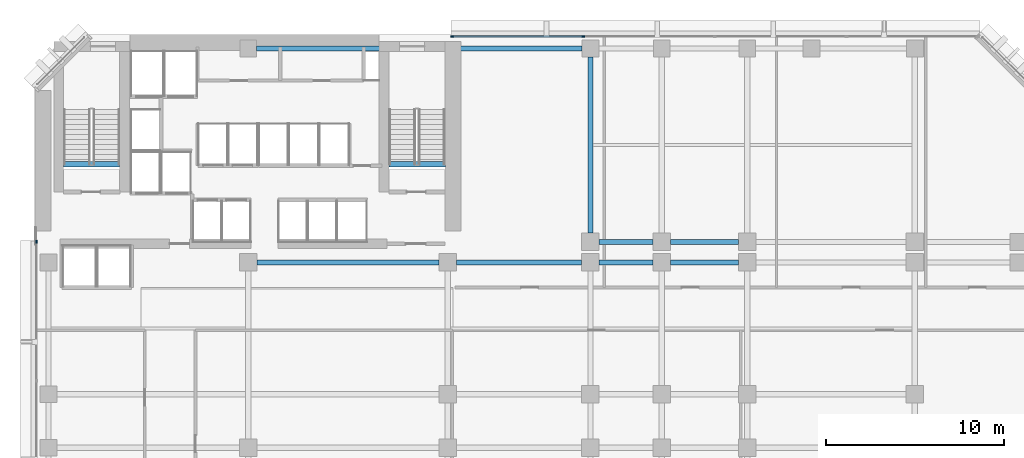
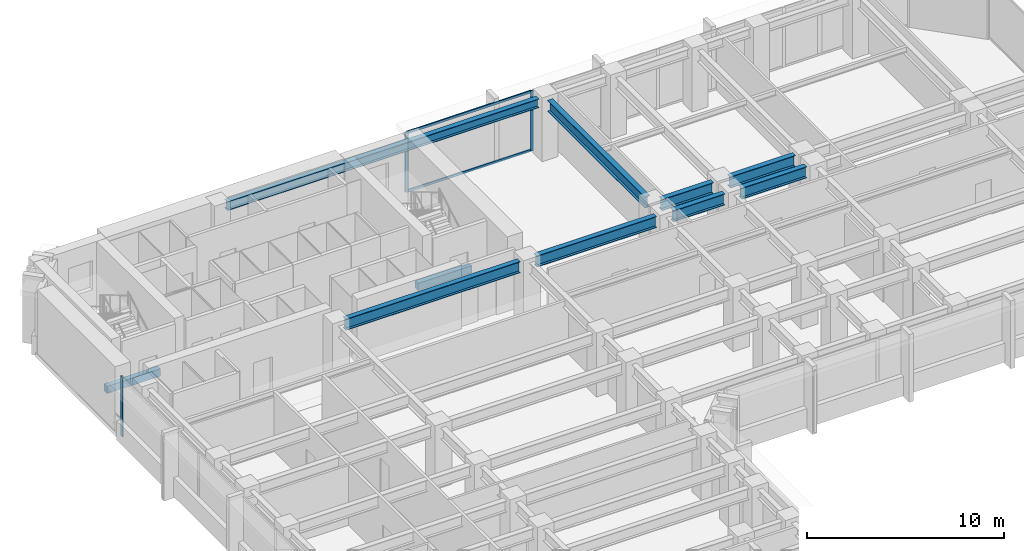
# One storey, part 4 of 13: 10 beams, 5 members, 2 elements without a shape of their own.
"""IFC4 building model written with IfcOpenShell, lengths in metres."""

from ifc_helpers import new_model, si_unit, direction, frame, origin, origin_2d, place, context, subcontext, project, spatial, rectangle, i_section, extrude, material, layer, layer_set, material_profile, profile_set, type_object, element, aggregate, save


model = new_model("IFC4")

# Units and contexts
model_context = context("Model", 3, precision=1e-05, world=origin(), true_north=direction((0.0, 1.0)))
body_context = subcontext(model_context, "Body", "Model", "MODEL_VIEW")
ifc_project = project(units=[si_unit("LENGTHUNIT", "METRE"), si_unit("AREAUNIT", "SQUARE_METRE"), si_unit("VOLUMEUNIT", "CUBIC_METRE"), si_unit("PLANEANGLEUNIT", "RADIAN"), si_unit("MASSUNIT", "GRAM", prefix="KILO")], contexts=[model_context])

# Site, building, storey
site_placement = place(None, origin())
site = spatial("IfcSite", under=ifc_project, at=site_placement, CompositionType="ELEMENT")
building_placement = place(site_placement, origin())
building = spatial("IfcBuilding", under=site, at=building_placement, Name="Kefirva Bronze Tower", CompositionType="ELEMENT")
storey_placement = place(building_placement, frame((0.0, 0.0, 38.280029296875)))
storey = spatial("IfcBuildingStorey", under=building, at=storey_placement, Name="L08", CompositionType="ELEMENT", Elevation=38.280029296875)

# Curtain wall, members
ifc_material_1 = material(Name="Bronze anodised aluminium", Category="aluminium")
ifc_layer = layer(ifc_material_1, 0.199951171875, Name="Bronze anodised aluminium")
ifc_layer_set = layer_set([ifc_layer], Name="Bronze anodised aluminium")
curtain_wall_type = type_object("IfcCurtainWallType", Name="Unitised Bronze Ribbon Curtain Wall Zone 1", PredefinedType="USERDEFINED", material=ifc_layer_set)
curtain_wall_1_placement = place(storey_placement, origin())
curtain_wall_1 = element("IfcCurtainWall", 1, at=curtain_wall_1_placement, inside=storey, type_object=curtain_wall_type, Name="L08 Curtain Wall 3", ObjectType="UNITISED CURTAIN WALL", PredefinedType="USERDEFINED")
ifc_material_profile_1 = material_profile(ifc_material_1, rectangle(XDim=0.074951171875, YDim=0.179931640625, at=origin_2d()), Name="ALU 75x180")
ifc_profile_set_1 = profile_set([ifc_material_profile_1], Name="Bronze anodised aluminium")
member_type_1 = type_object("IfcMemberType", Name="Bronze Mullion 75x180", PredefinedType="MULLION", material=ifc_profile_set_1)
member_1_placement = place(storey_placement, frame((30.7900390625, 45.8798828125, 0.0), z_axis=(0.0, 0.0, 1.0), x_axis=(0.0, -1.0, 0.0)))
member_1 = element("IfcMember", 2, at=member_1_placement, type_object=member_type_1, Name="CW-01 mullion 4", PredefinedType="MULLION", context=body_context, shape_type="SweptSolid", body=[
    extrude(rectangle(XDim=0.074951171875, YDim=0.179931640625, at=origin_2d()), origin(), (0.0, 0.0, 1.0), 3.7099609375),
])
member_2_placement = place(storey_placement, frame((23.4423828125, 45.8798828125, 0.0), z_axis=(0.0, 0.0, 1.0), x_axis=(0.0, -1.0, 0.0)))
member_2 = element("IfcMember", 3, at=member_2_placement, type_object=member_type_1, Name="CW-01 mullion 5", PredefinedType="MULLION", context=body_context, shape_type="SweptSolid", body=[
    extrude(rectangle(XDim=0.074951171875, YDim=0.179931640625, at=origin_2d()), origin(), (0.0, 0.0, 1.0), 3.7099609375),
])

# Curtain wall, member
curtain_wall_2_placement = place(storey_placement, origin())
curtain_wall_2 = element("IfcCurtainWall", 4, at=curtain_wall_2_placement, inside=storey, type_object=curtain_wall_type, Name="L08 Curtain Wall 4", ObjectType="UNITISED CURTAIN WALL", PredefinedType="USERDEFINED")
member_3_placement = place(storey_placement, frame((0.1201171875, 34.357421875, 0.0), z_axis=(0.0, 0.0, 1.0), x_axis=(1.0, 0.0, 0.0)))
member_3 = element("IfcMember", 5, at=member_3_placement, type_object=member_type_1, Name="CW-01 mullion 1", PredefinedType="MULLION", context=body_context, shape_type="SweptSolid", body=[
    extrude(rectangle(XDim=0.074951171875, YDim=0.179931640625, at=origin_2d()), origin(), (0.0, 0.0, 1.0), 3.7099609375),
])
aggregate(curtain_wall_2, [member_3])

# Member
ifc_material_profile_2 = material_profile(ifc_material_1, rectangle(XDim=0.074951171875, YDim=0.14990234375, at=origin_2d()), Name="ALU 75x150")
ifc_profile_set_2 = profile_set([ifc_material_profile_2], Name="Bronze anodised aluminium")
member_type_2 = type_object("IfcMemberType", Name="Bronze Transom 75x150", PredefinedType="USERDEFINED", material=ifc_profile_set_2)
member_4_placement = place(storey_placement, frame((30.75244140625, 45.8798828125, 0.037353515625), z_axis=(-1.0, 0.0, 0.0), x_axis=(0.0, -1.0, 0.0)))
member_4 = element("IfcMember", 6, at=member_4_placement, type_object=member_type_2, Name="CW-01 transom 4.1", ObjectType="TRANSOM", PredefinedType="USERDEFINED", context=body_context, shape_type="SweptSolid", body=[
    extrude(rectangle(XDim=0.074951171875, YDim=0.14990234375, at=origin_2d()), origin(), (0.0, 0.0, 1.0), 7.2724609375),
])

member_5_placement = place(storey_placement, frame((30.75244140625, 45.8798828125, 3.67236328125), z_axis=(-1.0, 0.0, 0.0), x_axis=(0.0, -1.0, 0.0)))
member_5 = element("IfcMember", 7, at=member_5_placement, type_object=member_type_2, Name="CW-01 transom 4.2", ObjectType="TRANSOM", PredefinedType="USERDEFINED", context=body_context, shape_type="SweptSolid", body=[
    extrude(rectangle(XDim=0.074951171875, YDim=0.14990234375, at=origin_2d()), origin(), (0.0, 0.0, 1.0), 7.2724609375),
])

aggregate(curtain_wall_1, [member_1, member_2, member_4, member_5])

# Beams
ifc_material_2 = material(Name="Concrete C50/60", Category="concrete")
ifc_material_profile_3 = material_profile(ifc_material_2, rectangle(XDim=0.300048828125, YDim=0.449951171875, at=origin_2d()), Name="RC 300x450")
ifc_profile_set_3 = profile_set([ifc_material_profile_3], Name="Concrete C50/60")
beam_type_1 = type_object("IfcBeamType", Name="RC Stair Trimmer Beam 300x450", PredefinedType="BEAM", material=ifc_profile_set_3)
beam_1_placement = place(storey_placement, frame((1.64501953125, 38.699951171875, -0.22509765625), z_axis=(1.0, 0.0, 0.0), x_axis=(0.0, 1.0, 0.0)))
element("IfcBeam", 8, at=beam_1_placement, inside=storey, type_object=beam_type_1, Name="L08 Stair 1 Landing Trimmer Beam", PredefinedType="BEAM", context=body_context, shape_type="SweptSolid", body=[
    extrude(rectangle(XDim=0.300048828125, YDim=0.449951171875, at=origin_2d()), origin(), (0.0, 0.0, 1.0), 3.14990234375),
])
beam_2_placement = place(storey_placement, frame((19.89501953125, 38.699951171875, -0.22509765625), z_axis=(1.0, 0.0, 0.0), x_axis=(0.0, 1.0, 0.0)))
element("IfcBeam", 9, at=beam_2_placement, inside=storey, type_object=beam_type_1, Name="L08 Stair 2 Landing Trimmer Beam", PredefinedType="BEAM", context=body_context, shape_type="SweptSolid", body=[
    extrude(rectangle(XDim=0.300048828125, YDim=0.449951171875, at=origin_2d()), origin(), (0.0, 0.0, 1.0), 3.159912109375),
])
ifc_material_3 = material(Name="Steel S355", Category="steel")
ifc_material_profile_4 = material_profile(ifc_material_3, i_section(OverallWidth=0.300048828125, OverallDepth=0.699951171875, WebThickness=0.01708984375, FlangeThickness=0.031982421875, at=origin_2d()), Name="HEB 700")
ifc_profile_set_4 = profile_set([ifc_material_profile_4], Name="Steel S355")
beam_type_2 = type_object("IfcBeamType", Name="Steel Girder HEB 700", PredefinedType="USERDEFINED", material=ifc_profile_set_4)
beam_3_placement = place(storey_placement, frame((12.489990234375, 33.199951171875, 3.35986328125), z_axis=(1.0, 0.0, 0.0), x_axis=(0.0, 1.0, 0.0)))
element("IfcBeam", 10, at=beam_3_placement, inside=storey, type_object=beam_type_2, Name="L08 BM-L08-EW-12-332", ObjectType="GIRDER", PredefinedType="USERDEFINED", context=body_context, shape_type="SweptSolid", body=[
    extrude(i_section(OverallWidth=0.300048828125, OverallDepth=0.699951171875, WebThickness=0.01708984375, FlangeThickness=0.031982421875, at=origin_2d()), origin(), (0.0, 0.0, 1.0), 10.219970703125),
])
beam_4_placement = place(storey_placement, frame((23.68994140625, 33.199951171875, 3.35986328125), z_axis=(1.0, 0.0, 0.0), x_axis=(0.0, 1.0, 0.0)))
element("IfcBeam", 11, at=beam_4_placement, inside=storey, type_object=beam_type_2, Name="L08 BM-L08-EW-23-332", ObjectType="GIRDER", PredefinedType="USERDEFINED", context=body_context, shape_type="SweptSolid", body=[
    extrude(i_section(OverallWidth=0.300048828125, OverallDepth=0.699951171875, WebThickness=0.01708984375, FlangeThickness=0.031982421875, at=origin_2d()), origin(), (0.0, 0.0, 1.0), 7.02001953125),
])
beam_5_placement = place(storey_placement, frame((31.68994140625, 33.199951171875, 3.35986328125), z_axis=(1.0, 0.0, 0.0), x_axis=(0.0, 1.0, 0.0)))
element("IfcBeam", 12, at=beam_5_placement, inside=storey, type_object=beam_type_2, Name="L08 BM-L08-EW-31-332", ObjectType="GIRDER", PredefinedType="USERDEFINED", context=body_context, shape_type="SweptSolid", body=[
    extrude(i_section(OverallWidth=0.300048828125, OverallDepth=0.699951171875, WebThickness=0.01708984375, FlangeThickness=0.031982421875, at=origin_2d()), origin(), (0.0, 0.0, 1.0), 3.02001953125),
])
beam_6_placement = place(storey_placement, frame((35.68994140625, 33.199951171875, 3.35986328125), z_axis=(1.0, 0.0, 0.0), x_axis=(0.0, 1.0, 0.0)))
element("IfcBeam", 13, at=beam_6_placement, inside=storey, type_object=beam_type_2, Name="L08 BM-L08-EW-35-332", ObjectType="GIRDER", PredefinedType="USERDEFINED", context=body_context, shape_type="SweptSolid", body=[
    extrude(i_section(OverallWidth=0.300048828125, OverallDepth=0.699951171875, WebThickness=0.01708984375, FlangeThickness=0.031982421875, at=origin_2d()), origin(), (0.0, 0.0, 1.0), 3.820068359375),
])
beam_7_placement = place(storey_placement, frame((31.68994140625, 34.35009765625, 3.35986328125), z_axis=(1.0, 0.0, 0.0), x_axis=(0.0, 1.0, 0.0)))
element("IfcBeam", 14, at=beam_7_placement, inside=storey, type_object=beam_type_2, Name="L08 BM-L08-EW-31-344", ObjectType="GIRDER", PredefinedType="USERDEFINED", context=body_context, shape_type="SweptSolid", body=[
    extrude(i_section(OverallWidth=0.300048828125, OverallDepth=0.699951171875, WebThickness=0.01708984375, FlangeThickness=0.031982421875, at=origin_2d()), origin(), (0.0, 0.0, 1.0), 3.02001953125),
])
beam_8_placement = place(storey_placement, frame((35.68994140625, 34.35009765625, 3.35986328125), z_axis=(1.0, 0.0, 0.0), x_axis=(0.0, 1.0, 0.0)))
element("IfcBeam", 15, at=beam_8_placement, inside=storey, type_object=beam_type_2, Name="L08 BM-L08-EW-35-344", ObjectType="GIRDER", PredefinedType="USERDEFINED", context=body_context, shape_type="SweptSolid", body=[
    extrude(i_section(OverallWidth=0.300048828125, OverallDepth=0.699951171875, WebThickness=0.01708984375, FlangeThickness=0.031982421875, at=origin_2d()), origin(), (0.0, 0.0, 1.0), 3.820068359375),
])
beam_9_placement = place(storey_placement, frame((31.199951171875, 34.840087890625, 3.35986328125), z_axis=(0.0, 1.0, 0.0), x_axis=(-1.0, 0.0, 0.0)))
element("IfcBeam", 16, at=beam_9_placement, inside=storey, type_object=beam_type_2, Name="L08 BM-L08-NS-312-34", ObjectType="GIRDER", PredefinedType="USERDEFINED", context=body_context, shape_type="SweptSolid", body=[
    extrude(i_section(OverallWidth=0.300048828125, OverallDepth=0.699951171875, WebThickness=0.01708984375, FlangeThickness=0.031982421875, at=origin_2d()), origin(), (0.0, 0.0, 1.0), 9.889892578125),
])
ifc_material_profile_5 = material_profile(ifc_material_3, i_section(OverallWidth=0.300048828125, OverallDepth=0.550048828125, WebThickness=0.014892578125, FlangeThickness=0.029052734375, at=origin_2d()), Name="HEB 550")
ifc_profile_set_5 = profile_set([ifc_material_profile_5], Name="Steel S355")
beam_type_3 = type_object("IfcBeamType", Name="Steel Spandrel HEB 550 Ext", PredefinedType="SPANDREL", material=ifc_profile_set_5)
beam_10_placement = place(storey_placement, frame((12.469970703125, 45.199951171875, 3.43505859375), z_axis=(1.0, 0.0, 0.0), x_axis=(0.0, 1.0, 0.0)))
element("IfcBeam", 17, at=beam_10_placement, inside=storey, type_object=beam_type_3, Name="L08 BM-L08-EW-12-452", PredefinedType="SPANDREL", context=body_context, shape_type="SweptSolid", body=[
    extrude(i_section(OverallWidth=0.300048828125, OverallDepth=0.550048828125, WebThickness=0.014892578125, FlangeThickness=0.029052734375, at=origin_2d()), origin(), (0.0, 0.0, 1.0), 18.260009765625),
])

save(model, "model.ifc")
